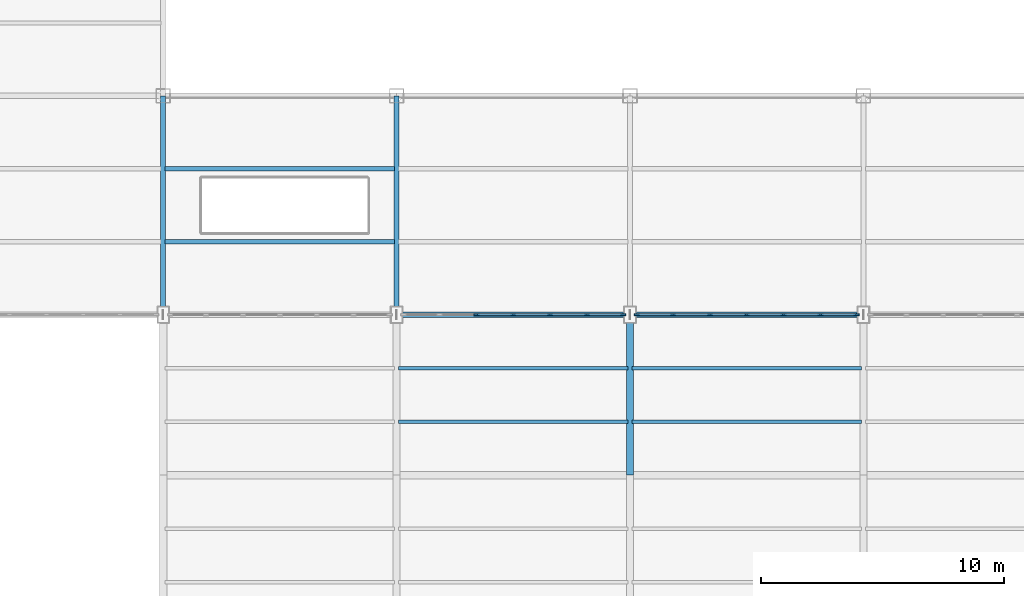
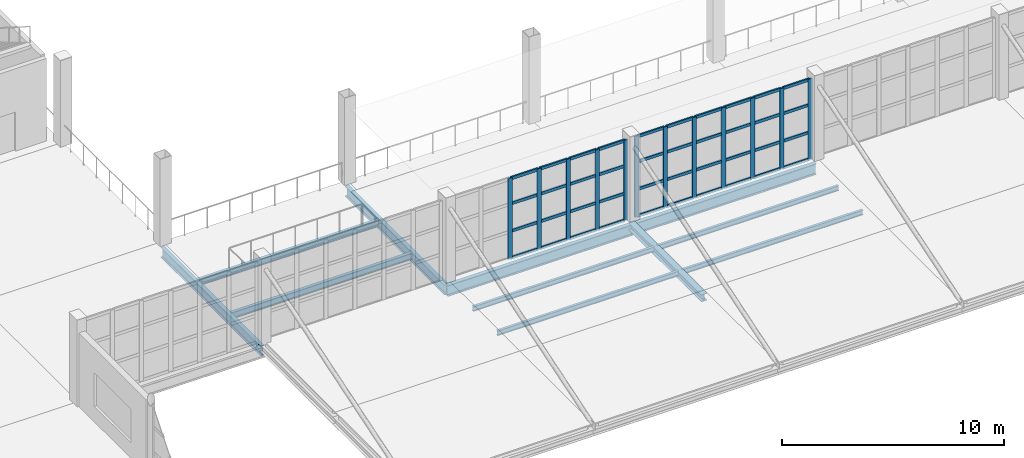
# One storey, part 28 of 120: 52 members, 11 beams, 2 elements without a shape of their own.
"""IFC4 building model written with IfcOpenShell, lengths in metres."""

from ifc_helpers import new_model, si_unit, direction, frame, origin, origin_2d, place, context, subcontext, project, spatial, rectangle, i_section, extrude, material, layer, layer_set, material_profile, profile_set, type_object, element, aggregate, save


model = new_model("IFC4")

# Units and contexts
model_context = context("Model", 3, precision=1e-05, world=origin(), true_north=direction((0.0, 1.0)))
body_context = subcontext(model_context, "Body", "Model", "MODEL_VIEW")
ifc_project = project(units=[si_unit("LENGTHUNIT", "METRE"), si_unit("AREAUNIT", "SQUARE_METRE"), si_unit("VOLUMEUNIT", "CUBIC_METRE"), si_unit("PLANEANGLEUNIT", "RADIAN"), si_unit("MASSUNIT", "GRAM", prefix="KILO")], contexts=[model_context])

# Site, building, storey
site_placement = place(None, origin())
site = spatial("IfcSite", under=ifc_project, at=site_placement, CompositionType="ELEMENT")
building_placement = place(site_placement, origin())
building = spatial("IfcBuilding", under=site, at=building_placement, Name="Zarnetskaya Central Station", CompositionType="ELEMENT")
storey_placement = place(building_placement, frame((0.0, 0.0, 5.39990234375)))
storey = spatial("IfcBuildingStorey", under=building, at=storey_placement, Name="L01", CompositionType="ELEMENT", Elevation=5.39990234375)

# Beams
ifc_material_1 = material(Name="Steel S355", Category="steel")
ifc_material_profile_1 = material_profile(ifc_material_1, i_section(OverallWidth=0.135009765625, OverallDepth=0.27001953125, WebThickness=0.006591796875, FlangeThickness=0.01025390625, FilletRadius=0.014892578125, at=origin_2d()), Name="IPE 270")
ifc_profile_set_1 = profile_set([ifc_material_profile_1], Name="Steel S355")
beam_type_1 = type_object("IfcBeamType", Name="BM-JST-270", PredefinedType="JOIST", material=ifc_profile_set_1)
for number, where, z_axis, x_axis, name in (
    (1, (76.8798828125, 8.800048828125, -0.294921875), (1.0, 0.0, 0.0), (0.0, 1.0, 0.0), "Secondary floor beam SEC-L01-Z524-JK-23-1"),
    (2, (76.8798828125, 11.0, -0.294921875), (1.0, 0.0, 0.0), (0.0, 1.0, 0.0), "Secondary floor beam SEC-L01-Z524-JK-23-2"),
):
    element("IfcBeam", number, at=place(storey_placement, frame(where, z_axis=z_axis, x_axis=x_axis)), inside=storey, type_object=beam_type_1, Name=name, PredefinedType="JOIST", context=body_context, shape_type="SweptSolid", body=[
        extrude(i_section(OverallWidth=0.135009765625, OverallDepth=0.27001953125, WebThickness=0.006591796875, FlangeThickness=0.01025390625, FilletRadius=0.014892578125, at=origin_2d()), origin(), (0.0, 0.0, 1.0), 9.440185546875),
    ])
for number, where, z_axis, x_axis, name in (
    (3, (86.47998046875, 8.800048828125, -0.294921875), (1.0, 0.0, 0.0), (0.0, 1.0, 0.0), "Secondary floor beam SEC-L01-Z524-KL-23-1"),
    (4, (86.47998046875, 11.0, -0.294921875), (1.0, 0.0, 0.0), (0.0, 1.0, 0.0), "Secondary floor beam SEC-L01-Z524-KL-23-2"),
):
    element("IfcBeam", number, at=place(storey_placement, frame(where, z_axis=z_axis, x_axis=x_axis)), inside=storey, type_object=beam_type_1, Name=name, PredefinedType="JOIST", context=body_context, shape_type="SweptSolid", body=[
        extrude(i_section(OverallWidth=0.135009765625, OverallDepth=0.27001953125, WebThickness=0.006591796875, FlangeThickness=0.01025390625, FilletRadius=0.014892578125, at=origin_2d()), origin(), (0.0, 0.0, 1.0), 9.43994140625),
    ])
ifc_material_profile_2 = material_profile(ifc_material_1, i_section(OverallWidth=0.169921875, OverallDepth=0.360107421875, WebThickness=0.008056640625, FlangeThickness=0.0126953125, FilletRadius=0.01806640625, at=origin_2d()), Name="IPE 360")
ifc_profile_set_2 = profile_set([ifc_material_profile_2], Name="Steel S355")
beam_type_2 = type_object("IfcBeamType", Name="BM-SEC-360", PredefinedType="BEAM", material=ifc_profile_set_2)
for number, where, z_axis, x_axis, name in (
    (5, (67.280029296875, 16.199951171875, -0.4599609375), (1.0, 0.0, 0.0), (0.0, 1.0, 0.0), "Secondary floor beam SEC-L01-Z512-HJ-34-1"),
    (6, (67.280029296875, 19.199951171875, -0.4599609375), (1.0, 0.0, 0.0), (0.0, 1.0, 0.0), "Secondary floor beam SEC-L01-Z512-HJ-34-2"),
):
    element("IfcBeam", number, at=place(storey_placement, frame(where, z_axis=z_axis, x_axis=x_axis)), inside=storey, type_object=beam_type_2, Name=name, PredefinedType="BEAM", context=body_context, shape_type="SweptSolid", body=[
        extrude(i_section(OverallWidth=0.169921875, OverallDepth=0.360107421875, WebThickness=0.008056640625, FlangeThickness=0.0126953125, FilletRadius=0.01806640625, at=origin_2d()), origin(), (0.0, 0.0, 1.0), 9.43994140625),
    ])

# Curtain wall, members
ifc_material_2 = material(Name="Low-E insulated glass", Category="glass")
ifc_layer_1 = layer(ifc_material_2, 0.176025390625, Name="Low-E insulated glass", Category="glass")
ifc_layer_set_1 = layer_set([ifc_layer_1], Name="Low-E insulated glass")
curtain_wall_type_1 = type_object("IfcCurtainWallType", Name="CW-SYS-10", PredefinedType="USERDEFINED", material=ifc_layer_set_1)
curtain_wall_1_placement = place(storey_placement, origin())
curtain_wall_1 = element("IfcCurtainWall", 7, at=curtain_wall_1_placement, inside=storey, type_object=curtain_wall_type_1, Name="Curtain wall CW-L01-078", ObjectType="CURTAIN WALL", PredefinedType="USERDEFINED")
ifc_material_3 = material(Name="Anodised aluminium", Category="aluminium")
ifc_material_profile_3 = material_profile(ifc_material_3, rectangle(XDim=0.080078125, YDim=0.219970703125, at=origin_2d()), Name="ALU MULL 80x220")
ifc_profile_set_3 = profile_set([ifc_material_profile_3], Name="Anodised aluminium")
member_type_1 = type_object("IfcMemberType", Name="CW-MULL-220", PredefinedType="MULLION", material=ifc_profile_set_3)
member_1_placement = place(storey_placement, frame((86.110107421875, 13.199951171875, 0.0), z_axis=(0.0, 0.0, 1.0), x_axis=(0.0, -1.0, 0.0)))
member_1 = element("IfcMember", 8, at=member_1_placement, type_object=member_type_1, Name="CW-13 mullion 1", PredefinedType="MULLION", context=body_context, shape_type="SweptSolid", body=[
    extrude(rectangle(XDim=0.080078125, YDim=0.219970703125, at=origin_2d()), origin(), (0.0, 0.0, 1.0), 4.4501953125),
])
member_2_placement = place(storey_placement, frame((84.63330078125, 13.199951171875, 0.0), z_axis=(0.0, 0.0, 1.0), x_axis=(0.0, -1.0, 0.0)))
member_2 = element("IfcMember", 9, at=member_2_placement, type_object=member_type_1, Name="CW-13 mullion 2", PredefinedType="MULLION", context=body_context, shape_type="SweptSolid", body=[
    extrude(rectangle(XDim=0.080078125, YDim=0.219970703125, at=origin_2d()), origin(), (0.0, 0.0, 1.0), 4.4501953125),
])
member_3_placement = place(storey_placement, frame((83.11669921875, 13.199951171875, 0.0), z_axis=(0.0, 0.0, 1.0), x_axis=(0.0, -1.0, 0.0)))
member_3 = element("IfcMember", 10, at=member_3_placement, type_object=member_type_1, Name="CW-13 mullion 3", PredefinedType="MULLION", context=body_context, shape_type="SweptSolid", body=[
    extrude(rectangle(XDim=0.080078125, YDim=0.219970703125, at=origin_2d()), origin(), (0.0, 0.0, 1.0), 4.4501953125),
])
member_4_placement = place(storey_placement, frame((81.60009765625, 13.199951171875, 0.0), z_axis=(0.0, 0.0, 1.0), x_axis=(0.0, -1.0, 0.0)))
member_4 = element("IfcMember", 11, at=member_4_placement, type_object=member_type_1, Name="CW-13 mullion 4", PredefinedType="MULLION", context=body_context, shape_type="SweptSolid", body=[
    extrude(rectangle(XDim=0.080078125, YDim=0.219970703125, at=origin_2d()), origin(), (0.0, 0.0, 1.0), 4.4501953125),
])
member_5_placement = place(storey_placement, frame((80.083251953125, 13.199951171875, 0.0), z_axis=(0.0, 0.0, 1.0), x_axis=(0.0, -1.0, 0.0)))
member_5 = element("IfcMember", 12, at=member_5_placement, type_object=member_type_1, Name="CW-13 mullion 5", PredefinedType="MULLION", context=body_context, shape_type="SweptSolid", body=[
    extrude(rectangle(XDim=0.080078125, YDim=0.219970703125, at=origin_2d()), origin(), (0.0, 0.0, 1.0), 4.4501953125),
])

ifc_layer_2 = layer(ifc_material_2, 0.159912109375, Name="Low-E insulated glass", Category="glass")
ifc_layer_set_2 = layer_set([ifc_layer_2], Name="Low-E insulated glass")
curtain_wall_type_2 = type_object("IfcCurtainWallType", Name="CW-SYS-11", PredefinedType="USERDEFINED", material=ifc_layer_set_2)
curtain_wall_2_placement = place(storey_placement, origin())
curtain_wall_2 = element("IfcCurtainWall", 13, at=curtain_wall_2_placement, inside=storey, type_object=curtain_wall_type_2, Name="Curtain wall CW-L01-080", ObjectType="CURTAIN WALL", PredefinedType="USERDEFINED")
member_6_placement = place(storey_placement, frame((95.7099609375, 13.199951171875, 0.0), z_axis=(0.0, 0.0, 1.0), x_axis=(0.0, -1.0, 0.0)))
member_6 = element("IfcMember", 14, at=member_6_placement, type_object=member_type_1, Name="CW-09 mullion 1", PredefinedType="MULLION", context=body_context, shape_type="SweptSolid", body=[
    extrude(rectangle(XDim=0.080078125, YDim=0.219970703125, at=origin_2d()), origin(), (0.0, 0.0, 1.0), 4.4501953125),
])
member_7_placement = place(storey_placement, frame((94.2333984375, 13.199951171875, 0.0), z_axis=(0.0, 0.0, 1.0), x_axis=(0.0, -1.0, 0.0)))
member_7 = element("IfcMember", 15, at=member_7_placement, type_object=member_type_1, Name="CW-09 mullion 2", PredefinedType="MULLION", context=body_context, shape_type="SweptSolid", body=[
    extrude(rectangle(XDim=0.080078125, YDim=0.219970703125, at=origin_2d()), origin(), (0.0, 0.0, 1.0), 4.4501953125),
])
member_8_placement = place(storey_placement, frame((92.716552734375, 13.199951171875, 0.0), z_axis=(0.0, 0.0, 1.0), x_axis=(0.0, -1.0, 0.0)))
member_8 = element("IfcMember", 16, at=member_8_placement, type_object=member_type_1, Name="CW-09 mullion 3", PredefinedType="MULLION", context=body_context, shape_type="SweptSolid", body=[
    extrude(rectangle(XDim=0.080078125, YDim=0.219970703125, at=origin_2d()), origin(), (0.0, 0.0, 1.0), 4.4501953125),
])
member_9_placement = place(storey_placement, frame((91.199951171875, 13.199951171875, 0.0), z_axis=(0.0, 0.0, 1.0), x_axis=(0.0, -1.0, 0.0)))
member_9 = element("IfcMember", 17, at=member_9_placement, type_object=member_type_1, Name="CW-09 mullion 4", PredefinedType="MULLION", context=body_context, shape_type="SweptSolid", body=[
    extrude(rectangle(XDim=0.080078125, YDim=0.219970703125, at=origin_2d()), origin(), (0.0, 0.0, 1.0), 4.4501953125),
])
member_10_placement = place(storey_placement, frame((89.683349609375, 13.199951171875, 0.0), z_axis=(0.0, 0.0, 1.0), x_axis=(0.0, -1.0, 0.0)))
member_10 = element("IfcMember", 18, at=member_10_placement, type_object=member_type_1, Name="CW-09 mullion 5", PredefinedType="MULLION", context=body_context, shape_type="SweptSolid", body=[
    extrude(rectangle(XDim=0.080078125, YDim=0.219970703125, at=origin_2d()), origin(), (0.0, 0.0, 1.0), 4.4501953125),
])
member_11_placement = place(storey_placement, frame((88.166748046875, 13.199951171875, 0.0), z_axis=(0.0, 0.0, 1.0), x_axis=(0.0, -1.0, 0.0)))
member_11 = element("IfcMember", 19, at=member_11_placement, type_object=member_type_1, Name="CW-09 mullion 6", PredefinedType="MULLION", context=body_context, shape_type="SweptSolid", body=[
    extrude(rectangle(XDim=0.080078125, YDim=0.219970703125, at=origin_2d()), origin(), (0.0, 0.0, 1.0), 4.4501953125),
])
member_12_placement = place(storey_placement, frame((86.68994140625, 13.199951171875, 0.0), z_axis=(0.0, 0.0, 1.0), x_axis=(0.0, -1.0, 0.0)))
member_12 = element("IfcMember", 20, at=member_12_placement, type_object=member_type_1, Name="CW-09 mullion 7", PredefinedType="MULLION", context=body_context, shape_type="SweptSolid", body=[
    extrude(rectangle(XDim=0.080078125, YDim=0.219970703125, at=origin_2d()), origin(), (0.0, 0.0, 1.0), 4.4501953125),
])

# Member
ifc_material_profile_4 = material_profile(ifc_material_3, rectangle(XDim=0.080078125, YDim=0.159912109375, at=origin_2d()), Name="ALU TRAN 80x160")
ifc_profile_set_4 = profile_set([ifc_material_profile_4], Name="Anodised aluminium")
member_type_2 = type_object("IfcMemberType", Name="CW-TRAN-160", PredefinedType="USERDEFINED", material=ifc_profile_set_4)
member_13_placement = place(storey_placement, frame((86.070068359375, 13.199951171875, 0.0400390625), z_axis=(-1.0, 0.0, 0.0), x_axis=(0.0, -1.0, 0.0)))
member_13 = element("IfcMember", 21, at=member_13_placement, type_object=member_type_2, Name="CW-13 transom 1.1", ObjectType="TRANSOM", PredefinedType="USERDEFINED", context=body_context, shape_type="SweptSolid", body=[
    extrude(rectangle(XDim=0.080078125, YDim=0.159912109375, at=origin_2d()), origin(), (0.0, 0.0, 1.0), 1.396728515625),
])

member_14_placement = place(storey_placement, frame((86.070068359375, 13.199951171875, 1.51318359375), z_axis=(-1.0, 0.0, 0.0), x_axis=(0.0, -1.0, 0.0)))
member_14 = element("IfcMember", 22, at=member_14_placement, type_object=member_type_2, Name="CW-13 transom 1.2", ObjectType="TRANSOM", PredefinedType="USERDEFINED", context=body_context, shape_type="SweptSolid", body=[
    extrude(rectangle(XDim=0.080078125, YDim=0.159912109375, at=origin_2d()), origin(), (0.0, 0.0, 1.0), 1.396728515625),
])

member_15_placement = place(storey_placement, frame((86.070068359375, 13.199951171875, 3.026123046875), z_axis=(-1.0, 0.0, 0.0), x_axis=(0.0, -1.0, 0.0)))
member_15 = element("IfcMember", 23, at=member_15_placement, type_object=member_type_2, Name="CW-13 transom 1.3", ObjectType="TRANSOM", PredefinedType="USERDEFINED", context=body_context, shape_type="SweptSolid", body=[
    extrude(rectangle(XDim=0.080078125, YDim=0.159912109375, at=origin_2d()), origin(), (0.0, 0.0, 1.0), 1.396728515625),
])

member_16_placement = place(storey_placement, frame((86.070068359375, 13.199951171875, 4.41015625), z_axis=(-1.0, 0.0, 0.0), x_axis=(0.0, -1.0, 0.0)))
member_16 = element("IfcMember", 24, at=member_16_placement, type_object=member_type_2, Name="CW-13 transom 1.4", ObjectType="TRANSOM", PredefinedType="USERDEFINED", context=body_context, shape_type="SweptSolid", body=[
    extrude(rectangle(XDim=0.080078125, YDim=0.159912109375, at=origin_2d()), origin(), (0.0, 0.0, 1.0), 1.396728515625),
])

member_17_placement = place(storey_placement, frame((84.59326171875, 13.199951171875, 0.0400390625), z_axis=(-1.0, 0.0, 0.0), x_axis=(0.0, -1.0, 0.0)))
member_17 = element("IfcMember", 25, at=member_17_placement, type_object=member_type_2, Name="CW-13 transom 2.1", ObjectType="TRANSOM", PredefinedType="USERDEFINED", context=body_context, shape_type="SweptSolid", body=[
    extrude(rectangle(XDim=0.080078125, YDim=0.159912109375, at=origin_2d()), origin(), (0.0, 0.0, 1.0), 1.4365234375),
])

member_18_placement = place(storey_placement, frame((84.59326171875, 13.199951171875, 1.51318359375), z_axis=(-1.0, 0.0, 0.0), x_axis=(0.0, -1.0, 0.0)))
member_18 = element("IfcMember", 26, at=member_18_placement, type_object=member_type_2, Name="CW-13 transom 2.2", ObjectType="TRANSOM", PredefinedType="USERDEFINED", context=body_context, shape_type="SweptSolid", body=[
    extrude(rectangle(XDim=0.080078125, YDim=0.159912109375, at=origin_2d()), origin(), (0.0, 0.0, 1.0), 1.4365234375),
])

member_19_placement = place(storey_placement, frame((84.59326171875, 13.199951171875, 3.026123046875), z_axis=(-1.0, 0.0, 0.0), x_axis=(0.0, -1.0, 0.0)))
member_19 = element("IfcMember", 27, at=member_19_placement, type_object=member_type_2, Name="CW-13 transom 2.3", ObjectType="TRANSOM", PredefinedType="USERDEFINED", context=body_context, shape_type="SweptSolid", body=[
    extrude(rectangle(XDim=0.080078125, YDim=0.159912109375, at=origin_2d()), origin(), (0.0, 0.0, 1.0), 1.4365234375),
])

member_20_placement = place(storey_placement, frame((84.59326171875, 13.199951171875, 4.41015625), z_axis=(-1.0, 0.0, 0.0), x_axis=(0.0, -1.0, 0.0)))
member_20 = element("IfcMember", 28, at=member_20_placement, type_object=member_type_2, Name="CW-13 transom 2.4", ObjectType="TRANSOM", PredefinedType="USERDEFINED", context=body_context, shape_type="SweptSolid", body=[
    extrude(rectangle(XDim=0.080078125, YDim=0.159912109375, at=origin_2d()), origin(), (0.0, 0.0, 1.0), 1.4365234375),
])

member_21_placement = place(storey_placement, frame((83.07666015625, 13.199951171875, 0.0400390625), z_axis=(-1.0, 0.0, 0.0), x_axis=(0.0, -1.0, 0.0)))
member_21 = element("IfcMember", 29, at=member_21_placement, type_object=member_type_2, Name="CW-13 transom 3.1", ObjectType="TRANSOM", PredefinedType="USERDEFINED", context=body_context, shape_type="SweptSolid", body=[
    extrude(rectangle(XDim=0.080078125, YDim=0.159912109375, at=origin_2d()), origin(), (0.0, 0.0, 1.0), 1.436767578125),
])

member_22_placement = place(storey_placement, frame((83.07666015625, 13.199951171875, 1.51318359375), z_axis=(-1.0, 0.0, 0.0), x_axis=(0.0, -1.0, 0.0)))
member_22 = element("IfcMember", 30, at=member_22_placement, type_object=member_type_2, Name="CW-13 transom 3.2", ObjectType="TRANSOM", PredefinedType="USERDEFINED", context=body_context, shape_type="SweptSolid", body=[
    extrude(rectangle(XDim=0.080078125, YDim=0.159912109375, at=origin_2d()), origin(), (0.0, 0.0, 1.0), 1.436767578125),
])

member_23_placement = place(storey_placement, frame((83.07666015625, 13.199951171875, 3.026123046875), z_axis=(-1.0, 0.0, 0.0), x_axis=(0.0, -1.0, 0.0)))
member_23 = element("IfcMember", 31, at=member_23_placement, type_object=member_type_2, Name="CW-13 transom 3.3", ObjectType="TRANSOM", PredefinedType="USERDEFINED", context=body_context, shape_type="SweptSolid", body=[
    extrude(rectangle(XDim=0.080078125, YDim=0.159912109375, at=origin_2d()), origin(), (0.0, 0.0, 1.0), 1.436767578125),
])

member_24_placement = place(storey_placement, frame((83.07666015625, 13.199951171875, 4.41015625), z_axis=(-1.0, 0.0, 0.0), x_axis=(0.0, -1.0, 0.0)))
member_24 = element("IfcMember", 32, at=member_24_placement, type_object=member_type_2, Name="CW-13 transom 3.4", ObjectType="TRANSOM", PredefinedType="USERDEFINED", context=body_context, shape_type="SweptSolid", body=[
    extrude(rectangle(XDim=0.080078125, YDim=0.159912109375, at=origin_2d()), origin(), (0.0, 0.0, 1.0), 1.436767578125),
])

member_25_placement = place(storey_placement, frame((81.56005859375, 13.199951171875, 0.0400390625), z_axis=(-1.0, 0.0, 0.0), x_axis=(0.0, -1.0, 0.0)))
member_25 = element("IfcMember", 33, at=member_25_placement, type_object=member_type_2, Name="CW-13 transom 4.1", ObjectType="TRANSOM", PredefinedType="USERDEFINED", context=body_context, shape_type="SweptSolid", body=[
    extrude(rectangle(XDim=0.080078125, YDim=0.159912109375, at=origin_2d()), origin(), (0.0, 0.0, 1.0), 1.436767578125),
])

member_26_placement = place(storey_placement, frame((81.56005859375, 13.199951171875, 1.51318359375), z_axis=(-1.0, 0.0, 0.0), x_axis=(0.0, -1.0, 0.0)))
member_26 = element("IfcMember", 34, at=member_26_placement, type_object=member_type_2, Name="CW-13 transom 4.2", ObjectType="TRANSOM", PredefinedType="USERDEFINED", context=body_context, shape_type="SweptSolid", body=[
    extrude(rectangle(XDim=0.080078125, YDim=0.159912109375, at=origin_2d()), origin(), (0.0, 0.0, 1.0), 1.436767578125),
])

member_27_placement = place(storey_placement, frame((81.56005859375, 13.199951171875, 3.026123046875), z_axis=(-1.0, 0.0, 0.0), x_axis=(0.0, -1.0, 0.0)))
member_27 = element("IfcMember", 35, at=member_27_placement, type_object=member_type_2, Name="CW-13 transom 4.3", ObjectType="TRANSOM", PredefinedType="USERDEFINED", context=body_context, shape_type="SweptSolid", body=[
    extrude(rectangle(XDim=0.080078125, YDim=0.159912109375, at=origin_2d()), origin(), (0.0, 0.0, 1.0), 1.436767578125),
])

member_28_placement = place(storey_placement, frame((81.56005859375, 13.199951171875, 4.41015625), z_axis=(-1.0, 0.0, 0.0), x_axis=(0.0, -1.0, 0.0)))
member_28 = element("IfcMember", 36, at=member_28_placement, type_object=member_type_2, Name="CW-13 transom 4.4", ObjectType="TRANSOM", PredefinedType="USERDEFINED", context=body_context, shape_type="SweptSolid", body=[
    extrude(rectangle(XDim=0.080078125, YDim=0.159912109375, at=origin_2d()), origin(), (0.0, 0.0, 1.0), 1.436767578125),
])

aggregate(curtain_wall_1, [member_1, member_2, member_3, member_4, member_5, member_13, member_14, member_15, member_16, member_17, member_18, member_19, member_20, member_21, member_22, member_23, member_24, member_25, member_26, member_27, member_28])

member_29_placement = place(storey_placement, frame((95.669921875, 13.199951171875, 0.0400390625), z_axis=(-1.0, 0.0, 0.0), x_axis=(0.0, -1.0, 0.0)))
member_29 = element("IfcMember", 37, at=member_29_placement, type_object=member_type_2, Name="CW-09 transom 1.1", ObjectType="TRANSOM", PredefinedType="USERDEFINED", context=body_context, shape_type="SweptSolid", body=[
    extrude(rectangle(XDim=0.080078125, YDim=0.159912109375, at=origin_2d()), origin(), (0.0, 0.0, 1.0), 1.396484375),
])

member_30_placement = place(storey_placement, frame((95.669921875, 13.199951171875, 1.51318359375), z_axis=(-1.0, 0.0, 0.0), x_axis=(0.0, -1.0, 0.0)))
member_30 = element("IfcMember", 38, at=member_30_placement, type_object=member_type_2, Name="CW-09 transom 1.2", ObjectType="TRANSOM", PredefinedType="USERDEFINED", context=body_context, shape_type="SweptSolid", body=[
    extrude(rectangle(XDim=0.080078125, YDim=0.159912109375, at=origin_2d()), origin(), (0.0, 0.0, 1.0), 1.396484375),
])

member_31_placement = place(storey_placement, frame((95.669921875, 13.199951171875, 3.026123046875), z_axis=(-1.0, 0.0, 0.0), x_axis=(0.0, -1.0, 0.0)))
member_31 = element("IfcMember", 39, at=member_31_placement, type_object=member_type_2, Name="CW-09 transom 1.3", ObjectType="TRANSOM", PredefinedType="USERDEFINED", context=body_context, shape_type="SweptSolid", body=[
    extrude(rectangle(XDim=0.080078125, YDim=0.159912109375, at=origin_2d()), origin(), (0.0, 0.0, 1.0), 1.396484375),
])

member_32_placement = place(storey_placement, frame((95.669921875, 13.199951171875, 4.41015625), z_axis=(-1.0, 0.0, 0.0), x_axis=(0.0, -1.0, 0.0)))
member_32 = element("IfcMember", 40, at=member_32_placement, type_object=member_type_2, Name="CW-09 transom 1.4", ObjectType="TRANSOM", PredefinedType="USERDEFINED", context=body_context, shape_type="SweptSolid", body=[
    extrude(rectangle(XDim=0.080078125, YDim=0.159912109375, at=origin_2d()), origin(), (0.0, 0.0, 1.0), 1.396484375),
])

member_33_placement = place(storey_placement, frame((94.193359375, 13.199951171875, 0.0400390625), z_axis=(-1.0, 0.0, 0.0), x_axis=(0.0, -1.0, 0.0)))
member_33 = element("IfcMember", 41, at=member_33_placement, type_object=member_type_2, Name="CW-09 transom 2.1", ObjectType="TRANSOM", PredefinedType="USERDEFINED", context=body_context, shape_type="SweptSolid", body=[
    extrude(rectangle(XDim=0.080078125, YDim=0.159912109375, at=origin_2d()), origin(), (0.0, 0.0, 1.0), 1.436767578125),
])

member_34_placement = place(storey_placement, frame((94.193359375, 13.199951171875, 1.51318359375), z_axis=(-1.0, 0.0, 0.0), x_axis=(0.0, -1.0, 0.0)))
member_34 = element("IfcMember", 42, at=member_34_placement, type_object=member_type_2, Name="CW-09 transom 2.2", ObjectType="TRANSOM", PredefinedType="USERDEFINED", context=body_context, shape_type="SweptSolid", body=[
    extrude(rectangle(XDim=0.080078125, YDim=0.159912109375, at=origin_2d()), origin(), (0.0, 0.0, 1.0), 1.436767578125),
])

member_35_placement = place(storey_placement, frame((94.193359375, 13.199951171875, 3.026123046875), z_axis=(-1.0, 0.0, 0.0), x_axis=(0.0, -1.0, 0.0)))
member_35 = element("IfcMember", 43, at=member_35_placement, type_object=member_type_2, Name="CW-09 transom 2.3", ObjectType="TRANSOM", PredefinedType="USERDEFINED", context=body_context, shape_type="SweptSolid", body=[
    extrude(rectangle(XDim=0.080078125, YDim=0.159912109375, at=origin_2d()), origin(), (0.0, 0.0, 1.0), 1.436767578125),
])

member_36_placement = place(storey_placement, frame((94.193359375, 13.199951171875, 4.41015625), z_axis=(-1.0, 0.0, 0.0), x_axis=(0.0, -1.0, 0.0)))
member_36 = element("IfcMember", 44, at=member_36_placement, type_object=member_type_2, Name="CW-09 transom 2.4", ObjectType="TRANSOM", PredefinedType="USERDEFINED", context=body_context, shape_type="SweptSolid", body=[
    extrude(rectangle(XDim=0.080078125, YDim=0.159912109375, at=origin_2d()), origin(), (0.0, 0.0, 1.0), 1.436767578125),
])

member_37_placement = place(storey_placement, frame((92.6767578125, 13.199951171875, 0.0400390625), z_axis=(-1.0, 0.0, 0.0), x_axis=(0.0, -1.0, 0.0)))
member_37 = element("IfcMember", 45, at=member_37_placement, type_object=member_type_2, Name="CW-09 transom 3.1", ObjectType="TRANSOM", PredefinedType="USERDEFINED", context=body_context, shape_type="SweptSolid", body=[
    extrude(rectangle(XDim=0.080078125, YDim=0.159912109375, at=origin_2d()), origin(), (0.0, 0.0, 1.0), 1.436767578125),
])

member_38_placement = place(storey_placement, frame((92.6767578125, 13.199951171875, 1.51318359375), z_axis=(-1.0, 0.0, 0.0), x_axis=(0.0, -1.0, 0.0)))
member_38 = element("IfcMember", 46, at=member_38_placement, type_object=member_type_2, Name="CW-09 transom 3.2", ObjectType="TRANSOM", PredefinedType="USERDEFINED", context=body_context, shape_type="SweptSolid", body=[
    extrude(rectangle(XDim=0.080078125, YDim=0.159912109375, at=origin_2d()), origin(), (0.0, 0.0, 1.0), 1.436767578125),
])

member_39_placement = place(storey_placement, frame((92.6767578125, 13.199951171875, 3.026123046875), z_axis=(-1.0, 0.0, 0.0), x_axis=(0.0, -1.0, 0.0)))
member_39 = element("IfcMember", 47, at=member_39_placement, type_object=member_type_2, Name="CW-09 transom 3.3", ObjectType="TRANSOM", PredefinedType="USERDEFINED", context=body_context, shape_type="SweptSolid", body=[
    extrude(rectangle(XDim=0.080078125, YDim=0.159912109375, at=origin_2d()), origin(), (0.0, 0.0, 1.0), 1.436767578125),
])

member_40_placement = place(storey_placement, frame((92.6767578125, 13.199951171875, 4.41015625), z_axis=(-1.0, 0.0, 0.0), x_axis=(0.0, -1.0, 0.0)))
member_40 = element("IfcMember", 48, at=member_40_placement, type_object=member_type_2, Name="CW-09 transom 3.4", ObjectType="TRANSOM", PredefinedType="USERDEFINED", context=body_context, shape_type="SweptSolid", body=[
    extrude(rectangle(XDim=0.080078125, YDim=0.159912109375, at=origin_2d()), origin(), (0.0, 0.0, 1.0), 1.436767578125),
])

member_41_placement = place(storey_placement, frame((91.159912109375, 13.199951171875, 0.0400390625), z_axis=(-1.0, 0.0, 0.0), x_axis=(0.0, -1.0, 0.0)))
member_41 = element("IfcMember", 49, at=member_41_placement, type_object=member_type_2, Name="CW-09 transom 4.1", ObjectType="TRANSOM", PredefinedType="USERDEFINED", context=body_context, shape_type="SweptSolid", body=[
    extrude(rectangle(XDim=0.080078125, YDim=0.159912109375, at=origin_2d()), origin(), (0.0, 0.0, 1.0), 1.4365234375),
])

member_42_placement = place(storey_placement, frame((91.159912109375, 13.199951171875, 1.51318359375), z_axis=(-1.0, 0.0, 0.0), x_axis=(0.0, -1.0, 0.0)))
member_42 = element("IfcMember", 50, at=member_42_placement, type_object=member_type_2, Name="CW-09 transom 4.2", ObjectType="TRANSOM", PredefinedType="USERDEFINED", context=body_context, shape_type="SweptSolid", body=[
    extrude(rectangle(XDim=0.080078125, YDim=0.159912109375, at=origin_2d()), origin(), (0.0, 0.0, 1.0), 1.4365234375),
])

member_43_placement = place(storey_placement, frame((91.159912109375, 13.199951171875, 3.026123046875), z_axis=(-1.0, 0.0, 0.0), x_axis=(0.0, -1.0, 0.0)))
member_43 = element("IfcMember", 51, at=member_43_placement, type_object=member_type_2, Name="CW-09 transom 4.3", ObjectType="TRANSOM", PredefinedType="USERDEFINED", context=body_context, shape_type="SweptSolid", body=[
    extrude(rectangle(XDim=0.080078125, YDim=0.159912109375, at=origin_2d()), origin(), (0.0, 0.0, 1.0), 1.4365234375),
])

member_44_placement = place(storey_placement, frame((91.159912109375, 13.199951171875, 4.41015625), z_axis=(-1.0, 0.0, 0.0), x_axis=(0.0, -1.0, 0.0)))
member_44 = element("IfcMember", 52, at=member_44_placement, type_object=member_type_2, Name="CW-09 transom 4.4", ObjectType="TRANSOM", PredefinedType="USERDEFINED", context=body_context, shape_type="SweptSolid", body=[
    extrude(rectangle(XDim=0.080078125, YDim=0.159912109375, at=origin_2d()), origin(), (0.0, 0.0, 1.0), 1.4365234375),
])

member_45_placement = place(storey_placement, frame((89.643310546875, 13.199951171875, 0.0400390625), z_axis=(-1.0, 0.0, 0.0), x_axis=(0.0, -1.0, 0.0)))
member_45 = element("IfcMember", 53, at=member_45_placement, type_object=member_type_2, Name="CW-09 transom 5.1", ObjectType="TRANSOM", PredefinedType="USERDEFINED", context=body_context, shape_type="SweptSolid", body=[
    extrude(rectangle(XDim=0.080078125, YDim=0.159912109375, at=origin_2d()), origin(), (0.0, 0.0, 1.0), 1.4365234375),
])

member_46_placement = place(storey_placement, frame((89.643310546875, 13.199951171875, 1.51318359375), z_axis=(-1.0, 0.0, 0.0), x_axis=(0.0, -1.0, 0.0)))
member_46 = element("IfcMember", 54, at=member_46_placement, type_object=member_type_2, Name="CW-09 transom 5.2", ObjectType="TRANSOM", PredefinedType="USERDEFINED", context=body_context, shape_type="SweptSolid", body=[
    extrude(rectangle(XDim=0.080078125, YDim=0.159912109375, at=origin_2d()), origin(), (0.0, 0.0, 1.0), 1.4365234375),
])

member_47_placement = place(storey_placement, frame((89.643310546875, 13.199951171875, 3.026123046875), z_axis=(-1.0, 0.0, 0.0), x_axis=(0.0, -1.0, 0.0)))
member_47 = element("IfcMember", 55, at=member_47_placement, type_object=member_type_2, Name="CW-09 transom 5.3", ObjectType="TRANSOM", PredefinedType="USERDEFINED", context=body_context, shape_type="SweptSolid", body=[
    extrude(rectangle(XDim=0.080078125, YDim=0.159912109375, at=origin_2d()), origin(), (0.0, 0.0, 1.0), 1.4365234375),
])

member_48_placement = place(storey_placement, frame((89.643310546875, 13.199951171875, 4.41015625), z_axis=(-1.0, 0.0, 0.0), x_axis=(0.0, -1.0, 0.0)))
member_48 = element("IfcMember", 56, at=member_48_placement, type_object=member_type_2, Name="CW-09 transom 5.4", ObjectType="TRANSOM", PredefinedType="USERDEFINED", context=body_context, shape_type="SweptSolid", body=[
    extrude(rectangle(XDim=0.080078125, YDim=0.159912109375, at=origin_2d()), origin(), (0.0, 0.0, 1.0), 1.4365234375),
])

member_49_placement = place(storey_placement, frame((88.126708984375, 13.199951171875, 0.0400390625), z_axis=(-1.0, 0.0, 0.0), x_axis=(0.0, -1.0, 0.0)))
member_49 = element("IfcMember", 57, at=member_49_placement, type_object=member_type_2, Name="CW-09 transom 6.1", ObjectType="TRANSOM", PredefinedType="USERDEFINED", context=body_context, shape_type="SweptSolid", body=[
    extrude(rectangle(XDim=0.080078125, YDim=0.159912109375, at=origin_2d()), origin(), (0.0, 0.0, 1.0), 1.396728515625),
])

member_50_placement = place(storey_placement, frame((88.126708984375, 13.199951171875, 1.51318359375), z_axis=(-1.0, 0.0, 0.0), x_axis=(0.0, -1.0, 0.0)))
member_50 = element("IfcMember", 58, at=member_50_placement, type_object=member_type_2, Name="CW-09 transom 6.2", ObjectType="TRANSOM", PredefinedType="USERDEFINED", context=body_context, shape_type="SweptSolid", body=[
    extrude(rectangle(XDim=0.080078125, YDim=0.159912109375, at=origin_2d()), origin(), (0.0, 0.0, 1.0), 1.396728515625),
])

member_51_placement = place(storey_placement, frame((88.126708984375, 13.199951171875, 3.026123046875), z_axis=(-1.0, 0.0, 0.0), x_axis=(0.0, -1.0, 0.0)))
member_51 = element("IfcMember", 59, at=member_51_placement, type_object=member_type_2, Name="CW-09 transom 6.3", ObjectType="TRANSOM", PredefinedType="USERDEFINED", context=body_context, shape_type="SweptSolid", body=[
    extrude(rectangle(XDim=0.080078125, YDim=0.159912109375, at=origin_2d()), origin(), (0.0, 0.0, 1.0), 1.396728515625),
])

member_52_placement = place(storey_placement, frame((88.126708984375, 13.199951171875, 4.41015625), z_axis=(-1.0, 0.0, 0.0), x_axis=(0.0, -1.0, 0.0)))
member_52 = element("IfcMember", 60, at=member_52_placement, type_object=member_type_2, Name="CW-09 transom 6.4", ObjectType="TRANSOM", PredefinedType="USERDEFINED", context=body_context, shape_type="SweptSolid", body=[
    extrude(rectangle(XDim=0.080078125, YDim=0.159912109375, at=origin_2d()), origin(), (0.0, 0.0, 1.0), 1.396728515625),
])

aggregate(curtain_wall_2, [member_6, member_7, member_8, member_9, member_10, member_11, member_12, member_29, member_30, member_31, member_32, member_33, member_34, member_35, member_36, member_37, member_38, member_39, member_40, member_41, member_42, member_43, member_44, member_45, member_46, member_47, member_48, member_49, member_50, member_51, member_52])

# Beams
ifc_material_profile_5 = material_profile(ifc_material_1, i_section(OverallWidth=0.2099609375, OverallDepth=0.550048828125, WebThickness=0.010986328125, FlangeThickness=0.01708984375, FilletRadius=0.02392578125, at=origin_2d()), Name="IPE 550")
ifc_profile_set_5 = profile_set([ifc_material_profile_5], Name="Steel S355")
beam_type_3 = type_object("IfcBeamType", Name="GD-FLR-550", PredefinedType="USERDEFINED", material=ifc_profile_set_5)
for number, where, z_axis, x_axis, name in (
    (61, (67.199951171875, 13.199951171875, -0.554931640625), (0.0, 1.0, 0.0), (-1.0, 0.0, 0.0), "Grid girder GY-L01-H-34"),
    (62, (76.800048828125, 13.199951171875, -0.554931640625), (0.0, 1.0, 0.0), (-1.0, 0.0, 0.0), "Grid girder GY-L01-J-34"),
):
    element("IfcBeam", number, at=place(storey_placement, frame(where, z_axis=z_axis, x_axis=x_axis)), inside=storey, type_object=beam_type_3, Name=name, ObjectType="GIRDER", PredefinedType="USERDEFINED", context=body_context, shape_type="SweptSolid", body=[
        extrude(i_section(OverallWidth=0.2099609375, OverallDepth=0.550048828125, WebThickness=0.010986328125, FlangeThickness=0.01708984375, FilletRadius=0.02392578125, at=origin_2d()), origin(), (0.0, 0.0, 1.0), 9.0),
    ])
ifc_material_profile_6 = material_profile(ifc_material_1, i_section(OverallWidth=0.219970703125, OverallDepth=0.60009765625, WebThickness=0.011962890625, FlangeThickness=0.01904296875, FilletRadius=0.02392578125, at=origin_2d()), Name="IPE 600")
ifc_profile_set_6 = profile_set([ifc_material_profile_6], Name="Steel S355")
beam_type_4 = type_object("IfcBeamType", Name="GD-FLR-600", PredefinedType="USERDEFINED", material=ifc_profile_set_6)
beam_1_placement = place(storey_placement, frame((76.800048828125, 13.199951171875, -0.579833984375), z_axis=(1.0, 0.0, 0.0), x_axis=(0.0, 1.0, 0.0)))
element("IfcBeam", 63, at=beam_1_placement, inside=storey, type_object=beam_type_4, Name="Grid girder GX-L01-3-JK", ObjectType="GIRDER", PredefinedType="USERDEFINED", context=body_context, shape_type="SweptSolid", body=[
    extrude(i_section(OverallWidth=0.219970703125, OverallDepth=0.60009765625, WebThickness=0.011962890625, FlangeThickness=0.01904296875, FilletRadius=0.02392578125, at=origin_2d()), origin(), (0.0, 0.0, 1.0), 9.599853515625),
])
beam_2_placement = place(storey_placement, frame((86.39990234375, 13.199951171875, -0.579833984375), z_axis=(1.0, 0.0, 0.0), x_axis=(0.0, 1.0, 0.0)))
element("IfcBeam", 64, at=beam_2_placement, inside=storey, type_object=beam_type_4, Name="Grid girder GX-L01-3-KL", ObjectType="GIRDER", PredefinedType="USERDEFINED", context=body_context, shape_type="SweptSolid", body=[
    extrude(i_section(OverallWidth=0.219970703125, OverallDepth=0.60009765625, WebThickness=0.011962890625, FlangeThickness=0.01904296875, FilletRadius=0.02392578125, at=origin_2d()), origin(), (0.0, 0.0, 1.0), 9.60009765625),
])
ifc_material_profile_7 = material_profile(ifc_material_1, i_section(OverallWidth=0.300048828125, OverallDepth=0.389892578125, WebThickness=0.010986328125, FlangeThickness=0.01904296875, FilletRadius=0.027099609375, at=origin_2d()), Name="HEA 400")
ifc_profile_set_7 = profile_set([ifc_material_profile_7], Name="Steel S355")
beam_type_5 = type_object("IfcBeamType", Name="GD-ROOF-400", PredefinedType="USERDEFINED", material=ifc_profile_set_7)
beam_3_placement = place(storey_placement, frame((86.39990234375, 6.60009765625, -0.35498046875), z_axis=(0.0, 1.0, 0.0), x_axis=(-1.0, 0.0, 0.0)))
element("IfcBeam", 65, at=beam_3_placement, inside=storey, type_object=beam_type_5, Name="Grid girder GY-L01-K-23", ObjectType="GIRDER", PredefinedType="USERDEFINED", context=body_context, shape_type="SweptSolid", body=[
    extrude(i_section(OverallWidth=0.300048828125, OverallDepth=0.389892578125, WebThickness=0.010986328125, FlangeThickness=0.01904296875, FilletRadius=0.027099609375, at=origin_2d()), origin(), (0.0, 0.0, 1.0), 6.599853515625),
])

save(model, "model.ifc")
